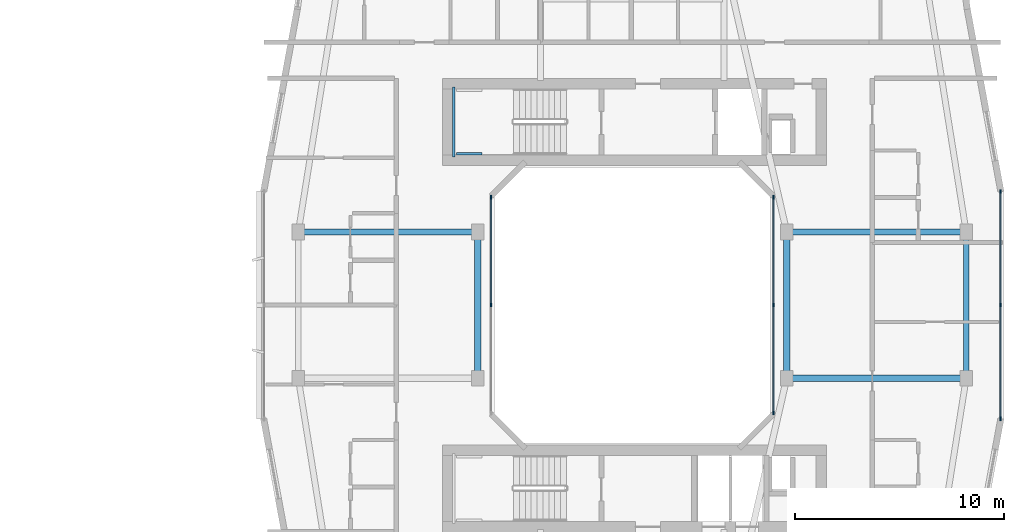
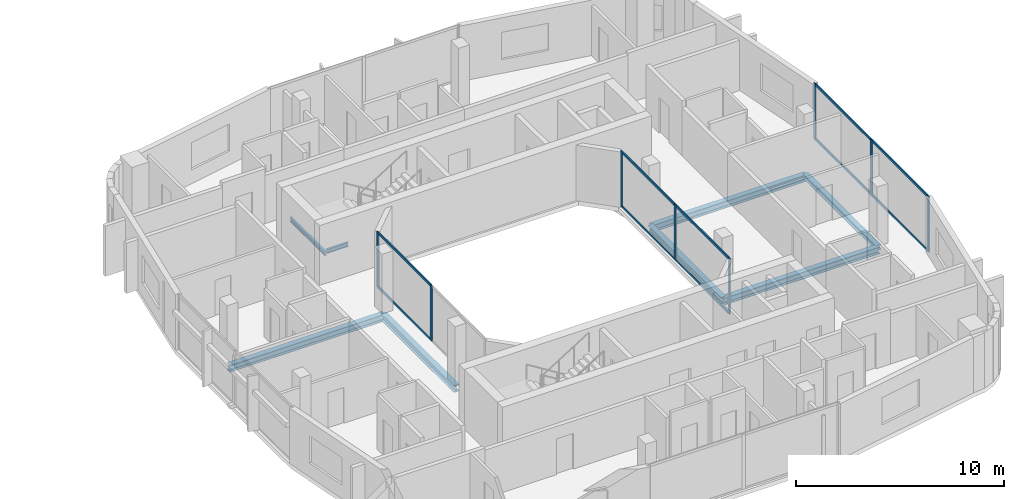
# One storey, part 9 of 25: 18 members, 8 beams, 3 elements without a shape of their own.
"""IFC4 building model written with IfcOpenShell, lengths in metres."""

from ifc_helpers import new_model, si_unit, derived_unit, direction, frame, origin, origin_2d, place, context, subcontext, project, spatial, rectangle, i_section, extrude, material, layer, layer_set, material_profile, profile_set, type_object, element, aggregate, save


model = new_model("IFC4")

# Units and contexts
model_context = context("Model", 3, precision=1e-05, world=origin(), true_north=direction((0.0, 1.0)))
body_context = subcontext(model_context, "Body", "Model", "MODEL_VIEW")
ifc_project = project(units=[si_unit("LENGTHUNIT", "METRE"), si_unit("AREAUNIT", "SQUARE_METRE"), si_unit("VOLUMEUNIT", "CUBIC_METRE"), si_unit("PLANEANGLEUNIT", "RADIAN"), si_unit("MASSUNIT", "GRAM", prefix="KILO"), derived_unit("THERMALTRANSMITTANCEUNIT", [(si_unit("POWERUNIT", "WATT"), 1), (si_unit("LENGTHUNIT", "METRE"), -2), (si_unit("THERMODYNAMICTEMPERATUREUNIT", "KELVIN"), -1)])], contexts=[model_context])

# Site, building, storey
site_placement = place(None, origin())
site = spatial("IfcSite", under=ifc_project, at=site_placement, CompositionType="ELEMENT")
building_placement = place(site_placement, origin())
building = spatial("IfcBuilding", under=site, at=building_placement, Name="Kivonza Crest Hotel", CompositionType="ELEMENT")
storey_placement = place(building_placement, frame((0.0, 0.0, 83.5)))
storey = spatial("IfcBuildingStorey", under=building, at=storey_placement, Name="L22", CompositionType="ELEMENT", Elevation=83.5)

# Beams
ifc_material_1 = material(Name="Steel S355", Category="steel")
ifc_material_profile_1 = material_profile(ifc_material_1, i_section(OverallWidth=0.280029296875, OverallDepth=0.280029296875, WebThickness=0.010498046875, FlangeThickness=0.01806640625, FilletRadius=0.02392578125, at=origin_2d()), Name="HEB 280")
ifc_profile_set_1 = profile_set([ifc_material_profile_1], Name="Steel S355")
beam_type_1 = type_object("IfcBeamType", Name="BM-HEB280", PredefinedType="SPANDREL", material=ifc_profile_set_1)
beam_1_placement = place(storey_placement, frame((93.0, 21.5, -0.389892578125), z_axis=(0.0, 1.0, 0.0), x_axis=(-1.0, 0.0, 0.0)))
element("IfcBeam", 1, at=beam_1_placement, inside=storey, type_object=beam_type_1, Name="Companion Tower T2 L22 perimeter spandrel E1-E2", PredefinedType="SPANDREL", context=body_context, shape_type="SweptSolid", body=[
    extrude(i_section(OverallWidth=0.280029296875, OverallDepth=0.280029296875, WebThickness=0.010498046875, FlangeThickness=0.01806640625, FilletRadius=0.02392578125, at=origin_2d()), origin(), (0.0, 0.0, 1.0), 7.0),
])
ifc_material_profile_2 = material_profile(ifc_material_1, i_section(OverallWidth=0.300048828125, OverallDepth=0.39990234375, WebThickness=0.013427734375, FlangeThickness=0.02392578125, FilletRadius=0.027099609375, at=origin_2d()), Name="HEB 400")
ifc_profile_set_2 = profile_set([ifc_material_profile_2], Name="Steel S355")
beam_type_2 = type_object("IfcBeamType", Name="BM-HEB400", PredefinedType="BEAM", material=ifc_profile_set_2)
beam_2_placement = place(storey_placement, frame((61.0, 28.5, -0.449951171875), z_axis=(1.0, 0.0, 0.0), x_axis=(0.0, 1.0, 0.0)))
element("IfcBeam", 2, at=beam_2_placement, inside=storey, type_object=beam_type_2, Name="Companion Tower T2 L22 girder W2-WL2", PredefinedType="BEAM", context=body_context, shape_type="SweptSolid", body=[
    extrude(i_section(OverallWidth=0.300048828125, OverallDepth=0.39990234375, WebThickness=0.013427734375, FlangeThickness=0.02392578125, FilletRadius=0.027099609375, at=origin_2d()), origin(), (0.0, 0.0, 1.0), 8.60009765625),
])
beam_3_placement = place(storey_placement, frame((69.60009765625, 21.5, -0.449951171875), z_axis=(0.0, 1.0, 0.0), x_axis=(-1.0, 0.0, 0.0)))
element("IfcBeam", 3, at=beam_3_placement, inside=storey, type_object=beam_type_2, Name="Companion Tower T2 L22 girder WL1-WL2", PredefinedType="BEAM", context=body_context, shape_type="SweptSolid", body=[
    extrude(i_section(OverallWidth=0.300048828125, OverallDepth=0.39990234375, WebThickness=0.013427734375, FlangeThickness=0.02392578125, FilletRadius=0.027099609375, at=origin_2d()), origin(), (0.0, 0.0, 1.0), 7.0),
])
for number, where, z_axis, x_axis, name in (
    (4, (84.39990234375, 21.5, -0.449951171875), (1.0, 0.0, 0.0), (0.0, 1.0, 0.0), "Companion Tower T2 L22 girder WR1-E1"),
    (5, (84.39990234375, 28.5, -0.449951171875), (1.0, 0.0, 0.0), (0.0, 1.0, 0.0), "Companion Tower T2 L22 girder WR2-E2"),
):
    element("IfcBeam", number, at=place(storey_placement, frame(where, z_axis=z_axis, x_axis=x_axis)), inside=storey, type_object=beam_type_2, Name=name, PredefinedType="BEAM", context=body_context, shape_type="SweptSolid", body=[
        extrude(i_section(OverallWidth=0.300048828125, OverallDepth=0.39990234375, WebThickness=0.013427734375, FlangeThickness=0.02392578125, FilletRadius=0.027099609375, at=origin_2d()), origin(), (0.0, 0.0, 1.0), 8.60009765625),
    ])
beam_4_placement = place(storey_placement, frame((84.39990234375, 21.5, -0.449951171875), z_axis=(0.0, 1.0, 0.0), x_axis=(-1.0, 0.0, 0.0)))
element("IfcBeam", 6, at=beam_4_placement, inside=storey, type_object=beam_type_2, Name="Companion Tower T2 L22 girder WR1-WR2", PredefinedType="BEAM", context=body_context, shape_type="SweptSolid", body=[
    extrude(i_section(OverallWidth=0.300048828125, OverallDepth=0.39990234375, WebThickness=0.013427734375, FlangeThickness=0.02392578125, FilletRadius=0.027099609375, at=origin_2d()), origin(), (0.0, 0.0, 1.0), 7.0),
])
ifc_material_profile_3 = material_profile(ifc_material_1, i_section(OverallWidth=0.1201171875, OverallDepth=0.239990234375, WebThickness=0.006103515625, FlangeThickness=0.009765625, FilletRadius=0.014892578125, at=origin_2d()), Name="IPE 240")
ifc_profile_set_3 = profile_set([ifc_material_profile_3], Name="Steel S355")
beam_type_3 = type_object("IfcBeamType", Name="BM-LLDG-240", PredefinedType="BEAM", material=ifc_profile_set_3)
beam_5_placement = place(storey_placement, frame((68.4599609375, 32.10009765625, 1.429931640625), z_axis=(0.0, 1.0, 0.0), x_axis=(-1.0, 0.0, 0.0)))
element("IfcBeam", 7, at=beam_5_placement, inside=storey, type_object=beam_type_3, Name="Stair ST-T2-N L22 West landing corbel", PredefinedType="BEAM", context=body_context, shape_type="SweptSolid", body=[
    extrude(i_section(OverallWidth=0.1201171875, OverallDepth=0.239990234375, WebThickness=0.006103515625, FlangeThickness=0.009765625, FilletRadius=0.014892578125, at=origin_2d()), origin(), (0.0, 0.0, 1.0), 3.35986328125),
])
beam_6_placement = place(storey_placement, frame((68.590087890625, 32.260009765625, 1.429931640625), z_axis=(1.0, 0.0, 0.0), x_axis=(0.0, 1.0, 0.0)))
element("IfcBeam", 8, at=beam_6_placement, inside=storey, type_object=beam_type_3, Name="Stair ST-T2-N L22 South landing corbel", PredefinedType="BEAM", context=body_context, shape_type="SweptSolid", body=[
    extrude(i_section(OverallWidth=0.1201171875, OverallDepth=0.239990234375, WebThickness=0.006103515625, FlangeThickness=0.009765625, FilletRadius=0.014892578125, at=origin_2d()), origin(), (0.0, 0.0, 1.0), 1.2099609375),
])

# Curtain wall, members
ifc_material_2 = material(Name="Anodised bronze aluminium and low-E double glazing", Category="aluminium")
ifc_layer_1 = layer(ifc_material_2, 0.179931640625)
ifc_layer_set_1 = layer_set([ifc_layer_1], Name="Anodised bronze aluminium and low-E double glazing")
curtain_wall_type_1 = type_object("IfcCurtainWallType", Name="CW-SYS-4", PredefinedType="NOTDEFINED", material=ifc_layer_set_1)
curtain_wall_1_placement = place(storey_placement, origin())
curtain_wall_1 = element("IfcCurtainWall", 9, at=curtain_wall_1_placement, inside=storey, type_object=curtain_wall_type_1, Name="L22 unitised curtain wall CW-T2-L22-17", PredefinedType="NOTDEFINED")
ifc_material_3 = material(Name="Anodised bronze aluminium", Category="aluminium")
ifc_material_profile_4 = material_profile(ifc_material_3, rectangle(XDim=0.06494140625, YDim=0.179931640625, at=origin_2d()), Name="CW-M 65x180")
ifc_profile_set_4 = profile_set([ifc_material_profile_4], Name="Anodised bronze aluminium")
member_type_1 = type_object("IfcMemberType", Name="CW-MUL-65x180", PredefinedType="MULLION", material=ifc_profile_set_4)
member_1_placement = place(storey_placement, frame((94.639892578125, 19.552490234375, 0.0), z_axis=(0.0, 0.0, 1.0), x_axis=(-1.0, 0.0, 0.0)))
member_1 = element("IfcMember", 10, at=member_1_placement, type_object=member_type_1, Name="CW-4 mullion 1", PredefinedType="MULLION", context=body_context, shape_type="SweptSolid", body=[
    extrude(rectangle(XDim=0.06494140625, YDim=0.179931640625, at=origin_2d()), origin(), (0.0, 0.0, 1.0), 3.25),
])
member_2_placement = place(storey_placement, frame((94.639892578125, 25.0, 0.0), z_axis=(0.0, 0.0, 1.0), x_axis=(-1.0, 0.0, 0.0)))
member_2 = element("IfcMember", 11, at=member_2_placement, type_object=member_type_1, Name="CW-4 mullion 2", PredefinedType="MULLION", context=body_context, shape_type="SweptSolid", body=[
    extrude(rectangle(XDim=0.06494140625, YDim=0.179931640625, at=origin_2d()), origin(), (0.0, 0.0, 1.0), 3.25),
])
member_3_placement = place(storey_placement, frame((94.639892578125, 30.447509765625, 0.0), z_axis=(0.0, 0.0, 1.0), x_axis=(-1.0, 0.0, 0.0)))
member_3 = element("IfcMember", 12, at=member_3_placement, type_object=member_type_1, Name="CW-4 mullion 3", PredefinedType="MULLION", context=body_context, shape_type="SweptSolid", body=[
    extrude(rectangle(XDim=0.06494140625, YDim=0.179931640625, at=origin_2d()), origin(), (0.0, 0.0, 1.0), 3.25),
])

ifc_layer_2 = layer(ifc_material_2, 0.159912109375)
ifc_layer_set_2 = layer_set([ifc_layer_2], Name="Anodised bronze aluminium and low-E double glazing")
curtain_wall_type_2 = type_object("IfcCurtainWallType", Name="CW-SYS-5", PredefinedType="NOTDEFINED", material=ifc_layer_set_2)
curtain_wall_2_placement = place(storey_placement, origin())
curtain_wall_2 = element("IfcCurtainWall", 13, at=curtain_wall_2_placement, inside=storey, type_object=curtain_wall_type_2, Name="L22 unitised curtain wall CW-WELL-T2-L22-3", PredefinedType="NOTDEFINED")
member_4_placement = place(storey_placement, frame((83.760009765625, 19.83251953125, 0.0), z_axis=(0.0, 0.0, 1.0), x_axis=(-1.0, 0.0, 0.0)))
member_4 = element("IfcMember", 14, at=member_4_placement, type_object=member_type_1, Name="CW-5 mullion 1", PredefinedType="MULLION", context=body_context, shape_type="SweptSolid", body=[
    extrude(rectangle(XDim=0.06494140625, YDim=0.179931640625, at=origin_2d()), origin(), (0.0, 0.0, 1.0), 3.25),
])
member_5_placement = place(storey_placement, frame((83.760009765625, 25.0, 0.0), z_axis=(0.0, 0.0, 1.0), x_axis=(-1.0, 0.0, 0.0)))
member_5 = element("IfcMember", 15, at=member_5_placement, type_object=member_type_1, Name="CW-5 mullion 2", PredefinedType="MULLION", context=body_context, shape_type="SweptSolid", body=[
    extrude(rectangle(XDim=0.06494140625, YDim=0.179931640625, at=origin_2d()), origin(), (0.0, 0.0, 1.0), 3.25),
])
member_6_placement = place(storey_placement, frame((83.760009765625, 30.16748046875, 0.0), z_axis=(0.0, 0.0, 1.0), x_axis=(-1.0, 0.0, 0.0)))
member_6 = element("IfcMember", 16, at=member_6_placement, type_object=member_type_1, Name="CW-5 mullion 3", PredefinedType="MULLION", context=body_context, shape_type="SweptSolid", body=[
    extrude(rectangle(XDim=0.06494140625, YDim=0.179931640625, at=origin_2d()), origin(), (0.0, 0.0, 1.0), 3.25),
])

curtain_wall_3_placement = place(storey_placement, origin())
curtain_wall_3 = element("IfcCurtainWall", 17, at=curtain_wall_3_placement, inside=storey, type_object=curtain_wall_type_2, Name="L22 unitised curtain wall CW-WELL-T2-L22-7", PredefinedType="NOTDEFINED")
member_7_placement = place(storey_placement, frame((70.239990234375, 30.16748046875, 0.0), z_axis=(0.0, 0.0, 1.0), x_axis=(1.0, 0.0, 0.0)))
member_7 = element("IfcMember", 18, at=member_7_placement, type_object=member_type_1, Name="CW-5 mullion 1", PredefinedType="MULLION", context=body_context, shape_type="SweptSolid", body=[
    extrude(rectangle(XDim=0.06494140625, YDim=0.179931640625, at=origin_2d()), origin(), (0.0, 0.0, 1.0), 3.25),
])
member_8_placement = place(storey_placement, frame((70.239990234375, 25.0, 0.0), z_axis=(0.0, 0.0, 1.0), x_axis=(1.0, 0.0, 0.0)))
member_8 = element("IfcMember", 19, at=member_8_placement, type_object=member_type_1, Name="CW-5 mullion 2", PredefinedType="MULLION", context=body_context, shape_type="SweptSolid", body=[
    extrude(rectangle(XDim=0.06494140625, YDim=0.179931640625, at=origin_2d()), origin(), (0.0, 0.0, 1.0), 3.25),
])

# Member
ifc_material_profile_5 = material_profile(ifc_material_3, rectangle(XDim=0.06494140625, YDim=0.139892578125, at=origin_2d()), Name="CW-T 65x140")
ifc_profile_set_5 = profile_set([ifc_material_profile_5], Name="Anodised bronze aluminium")
member_type_2 = type_object("IfcMemberType", Name="CW-TRN-65x140", PredefinedType="USERDEFINED", material=ifc_profile_set_5)
member_9_placement = place(storey_placement, frame((94.639892578125, 19.5849609375, 0.032470703125), z_axis=(0.0, 1.0, 0.0), x_axis=(-1.0, 0.0, 0.0)))
member_9 = element("IfcMember", 20, at=member_9_placement, type_object=member_type_2, Name="CW-4 transom 1.1", ObjectType="TRANSOM", PredefinedType="USERDEFINED", context=body_context, shape_type="SweptSolid", body=[
    extrude(rectangle(XDim=0.06494140625, YDim=0.139892578125, at=origin_2d()), origin(), (0.0, 0.0, 1.0), 5.382568359375),
])

member_10_placement = place(storey_placement, frame((94.639892578125, 19.5849609375, 3.217529296875), z_axis=(0.0, 1.0, 0.0), x_axis=(-1.0, 0.0, 0.0)))
member_10 = element("IfcMember", 21, at=member_10_placement, type_object=member_type_2, Name="CW-4 transom 1.2", ObjectType="TRANSOM", PredefinedType="USERDEFINED", context=body_context, shape_type="SweptSolid", body=[
    extrude(rectangle(XDim=0.06494140625, YDim=0.139892578125, at=origin_2d()), origin(), (0.0, 0.0, 1.0), 5.382568359375),
])

member_11_placement = place(storey_placement, frame((94.639892578125, 25.032470703125, 0.032470703125), z_axis=(0.0, 1.0, 0.0), x_axis=(-1.0, 0.0, 0.0)))
member_11 = element("IfcMember", 22, at=member_11_placement, type_object=member_type_2, Name="CW-4 transom 2.1", ObjectType="TRANSOM", PredefinedType="USERDEFINED", context=body_context, shape_type="SweptSolid", body=[
    extrude(rectangle(XDim=0.06494140625, YDim=0.139892578125, at=origin_2d()), origin(), (0.0, 0.0, 1.0), 5.382568359375),
])

member_12_placement = place(storey_placement, frame((94.639892578125, 25.032470703125, 3.217529296875), z_axis=(0.0, 1.0, 0.0), x_axis=(-1.0, 0.0, 0.0)))
member_12 = element("IfcMember", 23, at=member_12_placement, type_object=member_type_2, Name="CW-4 transom 2.2", ObjectType="TRANSOM", PredefinedType="USERDEFINED", context=body_context, shape_type="SweptSolid", body=[
    extrude(rectangle(XDim=0.06494140625, YDim=0.139892578125, at=origin_2d()), origin(), (0.0, 0.0, 1.0), 5.382568359375),
])

aggregate(curtain_wall_1, [member_1, member_2, member_3, member_9, member_10, member_11, member_12])

member_13_placement = place(storey_placement, frame((83.760009765625, 19.864990234375, 0.032470703125), z_axis=(0.0, 1.0, 0.0), x_axis=(-1.0, 0.0, 0.0)))
member_13 = element("IfcMember", 24, at=member_13_placement, type_object=member_type_2, Name="CW-5 transom 1.1", ObjectType="TRANSOM", PredefinedType="USERDEFINED", context=body_context, shape_type="SweptSolid", body=[
    extrude(rectangle(XDim=0.06494140625, YDim=0.139892578125, at=origin_2d()), origin(), (0.0, 0.0, 1.0), 5.1025390625),
])

member_14_placement = place(storey_placement, frame((83.760009765625, 19.864990234375, 3.217529296875), z_axis=(0.0, 1.0, 0.0), x_axis=(-1.0, 0.0, 0.0)))
member_14 = element("IfcMember", 25, at=member_14_placement, type_object=member_type_2, Name="CW-5 transom 1.2", ObjectType="TRANSOM", PredefinedType="USERDEFINED", context=body_context, shape_type="SweptSolid", body=[
    extrude(rectangle(XDim=0.06494140625, YDim=0.139892578125, at=origin_2d()), origin(), (0.0, 0.0, 1.0), 5.1025390625),
])

member_15_placement = place(storey_placement, frame((83.760009765625, 25.032470703125, 0.032470703125), z_axis=(0.0, 1.0, 0.0), x_axis=(-1.0, 0.0, 0.0)))
member_15 = element("IfcMember", 26, at=member_15_placement, type_object=member_type_2, Name="CW-5 transom 2.1", ObjectType="TRANSOM", PredefinedType="USERDEFINED", context=body_context, shape_type="SweptSolid", body=[
    extrude(rectangle(XDim=0.06494140625, YDim=0.139892578125, at=origin_2d()), origin(), (0.0, 0.0, 1.0), 5.1025390625),
])

member_16_placement = place(storey_placement, frame((83.760009765625, 25.032470703125, 3.217529296875), z_axis=(0.0, 1.0, 0.0), x_axis=(-1.0, 0.0, 0.0)))
member_16 = element("IfcMember", 27, at=member_16_placement, type_object=member_type_2, Name="CW-5 transom 2.2", ObjectType="TRANSOM", PredefinedType="USERDEFINED", context=body_context, shape_type="SweptSolid", body=[
    extrude(rectangle(XDim=0.06494140625, YDim=0.139892578125, at=origin_2d()), origin(), (0.0, 0.0, 1.0), 5.1025390625),
])

aggregate(curtain_wall_2, [member_4, member_5, member_6, member_13, member_14, member_15, member_16])

member_17_placement = place(storey_placement, frame((70.239990234375, 30.135009765625, 0.032470703125), z_axis=(0.0, -1.0, 0.0), x_axis=(1.0, 0.0, 0.0)))
member_17 = element("IfcMember", 28, at=member_17_placement, type_object=member_type_2, Name="CW-5 transom 1.1", ObjectType="TRANSOM", PredefinedType="USERDEFINED", context=body_context, shape_type="SweptSolid", body=[
    extrude(rectangle(XDim=0.06494140625, YDim=0.139892578125, at=origin_2d()), origin(), (0.0, 0.0, 1.0), 5.1025390625),
])

member_18_placement = place(storey_placement, frame((70.239990234375, 30.135009765625, 3.217529296875), z_axis=(0.0, -1.0, 0.0), x_axis=(1.0, 0.0, 0.0)))
member_18 = element("IfcMember", 29, at=member_18_placement, type_object=member_type_2, Name="CW-5 transom 1.2", ObjectType="TRANSOM", PredefinedType="USERDEFINED", context=body_context, shape_type="SweptSolid", body=[
    extrude(rectangle(XDim=0.06494140625, YDim=0.139892578125, at=origin_2d()), origin(), (0.0, 0.0, 1.0), 5.1025390625),
])

aggregate(curtain_wall_3, [member_7, member_8, member_17, member_18])

save(model, "model.ifc")
